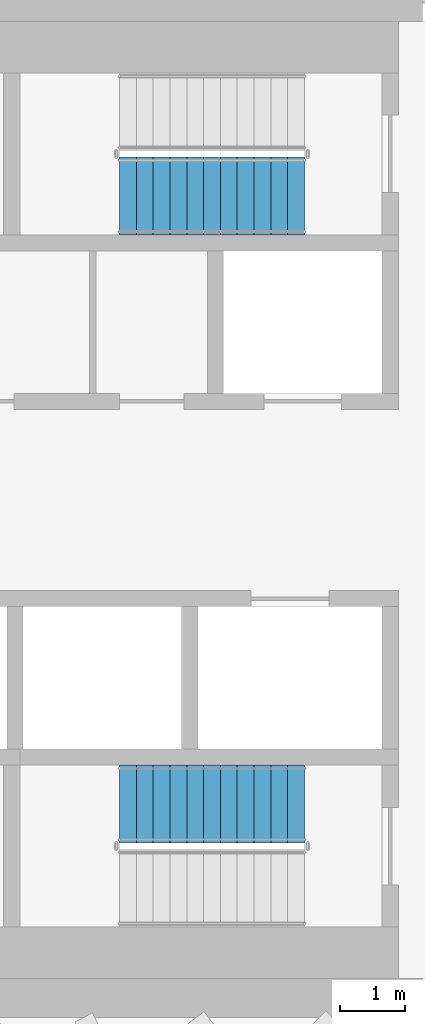
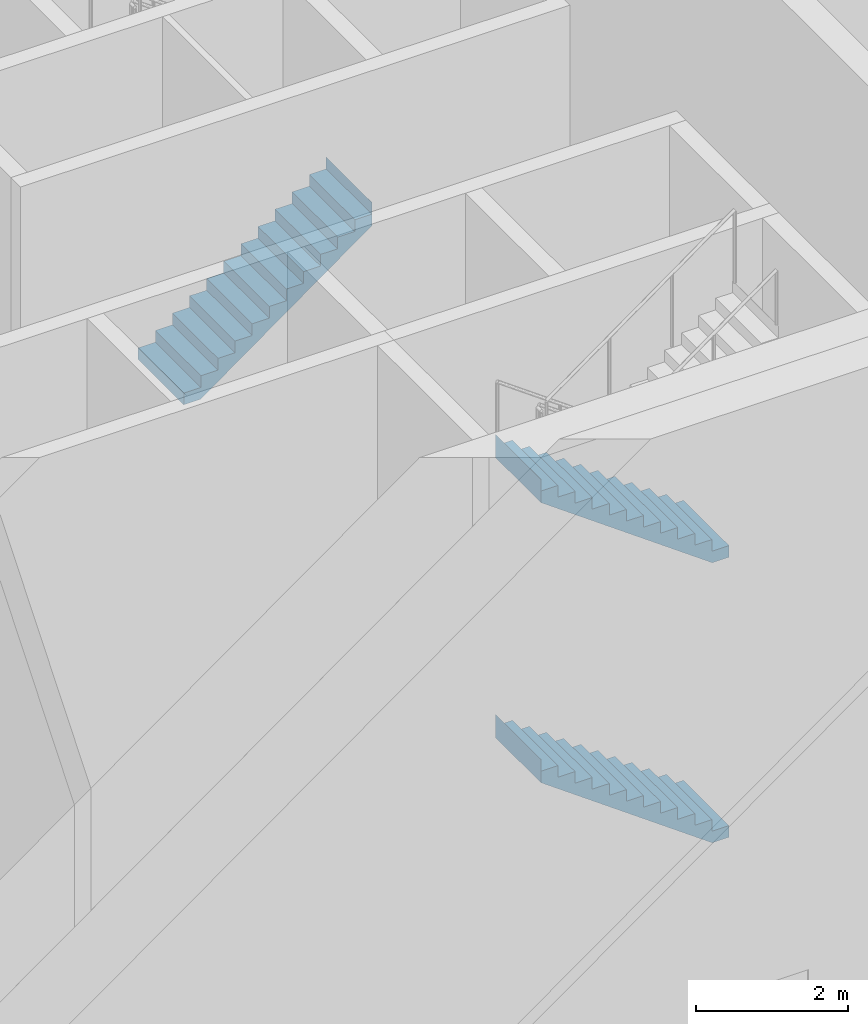
# One storey, part 21 of 35: 3 stair flights, 2 elements without a shape of their own.
"""IFC4 building model written with IfcOpenShell, lengths in metres."""

from ifc_helpers import new_model, si_unit, direction, frame, origin, place, context, subcontext, project, spatial, triangles, material, type_object, element, aggregate, save


model = new_model("IFC4")

# Units and contexts
model_context = context("Model", 3, precision=1e-05, world=origin(), true_north=direction((0.0, 1.0)))
body_context = subcontext(model_context, "Body", "Model", "MODEL_VIEW")
ifc_project = project(units=[si_unit("LENGTHUNIT", "METRE"), si_unit("AREAUNIT", "SQUARE_METRE"), si_unit("VOLUMEUNIT", "CUBIC_METRE"), si_unit("PLANEANGLEUNIT", "RADIAN"), si_unit("MASSUNIT", "GRAM", prefix="KILO")], contexts=[model_context])

# Site, building, storey
site_placement = place(None, origin())
site = spatial("IfcSite", under=ifc_project, at=site_placement, CompositionType="ELEMENT")
building_placement = place(site_placement, origin())
building = spatial("IfcBuilding", under=site, at=building_placement, Name="Sahrelin Media Tower", CompositionType="ELEMENT")
storey_placement = place(building_placement, frame((0.0, 0.0, 8.0)))
storey = spatial("IfcBuildingStorey", under=building, at=storey_placement, Name="L01", CompositionType="ELEMENT", Elevation=8.0)

# Stair, stair flight
ifc_material = material(Name="Concrete C40/50", Category="concrete")
stair_type = type_object("IfcStairType", Name="Exit stair 1200", PredefinedType="HALF_TURN_STAIR", material=ifc_material)
placement = place(storey_placement, origin())
stair_1 = element("IfcStair", 1, at=placement, inside=storey, type_object=stair_type, Name="L01 Exit stair ST3", PredefinedType="HALF_TURN_STAIR")
stair_flight_type = type_object("IfcStairFlightType", Name="Stair flight 1200", PredefinedType="STRAIGHT", material=ifc_material)
stair_flight_1_placement = place(storey_placement, frame((4.81494140625, 4.699951171875, 2.25), z_axis=(0.0, 0.0, 1.0), x_axis=(1.0, 0.0, 0.0)))
stair_flight_1 = element("IfcStairFlight", 2, at=stair_flight_1_placement, type_object=stair_flight_type, Name="ST3 flight 2", NumberOfRisers=12, NumberOfTreads=11, PredefinedType="STRAIGHT", RiserHeight=0.1875, TreadLength=0.26, context=body_context, shape_type="Tessellation", body=[
    triangles([(0.25634765625, 0.60009765625, 0.0), (0.25634765625, 0.300048828125, 0.0), (0.25634765625, 0.0, 0.0), (0.25634765625, -0.300048828125, 0.0), (0.25634765625, -0.60009765625, 0.0), (2.860107421875, 0.60009765625, 1.877685546875), (2.860107421875, 0.300048828125, 1.877685546875), (2.860107421875, 0.0, 1.877685546875), (2.860107421875, -0.300048828125, 1.877685546875), (2.860107421875, -0.60009765625, 1.877685546875), (2.860107421875, 0.60009765625, 2.25), (2.860107421875, 0.300048828125, 2.25), (2.860107421875, 0.0, 2.25), (2.860107421875, -0.300048828125, 2.25), (2.860107421875, -0.60009765625, 2.25), (2.85791015625, 0.60009765625, 2.25), (2.85791015625, 0.300048828125, 2.25), (2.85791015625, 0.0, 2.25), (2.85791015625, -0.300048828125, 2.25), (2.85791015625, -0.60009765625, 2.25), (2.85791015625, 0.60009765625, 2.0625), (2.85791015625, 0.300048828125, 2.0625), (2.85791015625, 0.0, 2.0625), (2.85791015625, -0.300048828125, 2.0625), (2.85791015625, -0.60009765625, 2.0625), (2.60009765625, 0.60009765625, 2.0625), (2.60009765625, 0.300048828125, 2.0625), (2.60009765625, 0.0, 2.0625), (2.60009765625, -0.300048828125, 2.0625), (2.60009765625, -0.60009765625, 2.0625), (2.60009765625, 0.60009765625, 1.875), (2.60009765625, 0.300048828125, 1.875), (2.60009765625, 0.0, 1.875), (2.60009765625, -0.300048828125, 1.875), (2.60009765625, -0.60009765625, 1.875), (2.340087890625, 0.60009765625, 1.875), (2.340087890625, 0.300048828125, 1.875), (2.340087890625, 0.0, 1.875), (2.340087890625, -0.300048828125, 1.875), (2.340087890625, -0.60009765625, 1.875), (2.340087890625, 0.60009765625, 1.6875), (2.340087890625, 0.300048828125, 1.6875), (2.340087890625, 0.0, 1.6875), (2.340087890625, -0.300048828125, 1.6875), (2.340087890625, -0.60009765625, 1.6875), (2.080078125, 0.60009765625, 1.6875), (2.080078125, 0.300048828125, 1.6875), (2.080078125, 0.0, 1.6875), (2.080078125, -0.300048828125, 1.6875), (2.080078125, -0.60009765625, 1.6875), (2.080078125, 0.60009765625, 1.5), (2.080078125, 0.300048828125, 1.5), (2.080078125, 0.0, 1.5), (2.080078125, -0.300048828125, 1.5), (2.080078125, -0.60009765625, 1.5), (1.820068359375, 0.60009765625, 1.5), (1.820068359375, 0.300048828125, 1.5), (1.820068359375, 0.0, 1.5), (1.820068359375, -0.300048828125, 1.5), (1.820068359375, -0.60009765625, 1.5), (1.820068359375, 0.60009765625, 1.3125), (1.820068359375, 0.300048828125, 1.3125), (1.820068359375, 0.0, 1.3125), (1.820068359375, -0.300048828125, 1.3125), (1.820068359375, -0.60009765625, 1.3125), (1.56005859375, 0.60009765625, 1.3125), (1.56005859375, 0.300048828125, 1.3125), (1.56005859375, 0.0, 1.3125), (1.56005859375, -0.300048828125, 1.3125), (1.56005859375, -0.60009765625, 1.3125), (1.56005859375, 0.60009765625, 1.125), (1.56005859375, 0.300048828125, 1.125), (1.56005859375, 0.0, 1.125), (1.56005859375, -0.300048828125, 1.125), (1.56005859375, -0.60009765625, 1.125), (1.300048828125, 0.60009765625, 1.125), (1.300048828125, 0.300048828125, 1.125), (1.300048828125, 0.0, 1.125), (1.300048828125, -0.300048828125, 1.125), (1.300048828125, -0.60009765625, 1.125), (1.300048828125, 0.60009765625, 0.9375), (1.300048828125, 0.300048828125, 0.9375), (1.300048828125, 0.0, 0.9375), (1.300048828125, -0.300048828125, 0.9375), (1.300048828125, -0.60009765625, 0.9375), (1.0400390625, 0.60009765625, 0.9375), (1.0400390625, 0.300048828125, 0.9375), (1.0400390625, 0.0, 0.9375), (1.0400390625, -0.300048828125, 0.9375), (1.0400390625, -0.60009765625, 0.9375), (1.0400390625, 0.60009765625, 0.75), (1.0400390625, 0.300048828125, 0.75), (1.0400390625, 0.0, 0.75), (1.0400390625, -0.300048828125, 0.75), (1.0400390625, -0.60009765625, 0.75), (0.780029296875, 0.60009765625, 0.75), (0.780029296875, 0.300048828125, 0.75), (0.780029296875, 0.0, 0.75), (0.780029296875, -0.300048828125, 0.75), (0.780029296875, -0.60009765625, 0.75), (0.780029296875, 0.60009765625, 0.5625), (0.780029296875, 0.300048828125, 0.5625), (0.780029296875, 0.0, 0.5625), (0.780029296875, -0.300048828125, 0.5625), (0.780029296875, -0.60009765625, 0.5625), (0.52001953125, 0.60009765625, 0.5625), (0.52001953125, 0.300048828125, 0.5625), (0.52001953125, 0.0, 0.5625), (0.52001953125, -0.300048828125, 0.5625), (0.52001953125, -0.60009765625, 0.5625), (0.52001953125, 0.60009765625, 0.375), (0.52001953125, 0.300048828125, 0.375), (0.52001953125, 0.0, 0.375), (0.52001953125, -0.300048828125, 0.375), (0.52001953125, -0.60009765625, 0.375), (0.260009765625, 0.60009765625, 0.375), (0.260009765625, 0.300048828125, 0.375), (0.260009765625, 0.0, 0.375), (0.260009765625, -0.300048828125, 0.375), (0.260009765625, -0.60009765625, 0.375), (0.260009765625, 0.60009765625, 0.1875), (0.260009765625, 0.300048828125, 0.1875), (0.260009765625, 0.0, 0.1875), (0.260009765625, -0.300048828125, 0.1875), (0.260009765625, -0.60009765625, 0.1875), (0.0, 0.60009765625, 0.1875), (0.0, 0.300048828125, 0.1875), (0.0, 0.0, 0.1875), (0.0, -0.300048828125, 0.1875), (0.0, -0.60009765625, 0.1875), (0.0, 0.60009765625, 0.0), (0.0, 0.300048828125, 0.0), (0.0, 0.0, 0.0), (0.0, -0.300048828125, 0.0), (0.0, -0.60009765625, 0.0)], [[1, 6, 7], [1, 7, 2], [2, 7, 8], [2, 8, 3], [3, 8, 9], [3, 9, 4], [4, 9, 10], [4, 10, 5], [6, 11, 12], [6, 12, 7], [7, 12, 13], [7, 13, 8], [8, 13, 14], [8, 14, 9], [9, 14, 15], [9, 15, 10], [11, 16, 17], [11, 17, 12], [12, 17, 18], [12, 18, 13], [13, 18, 19], [13, 19, 14], [14, 19, 20], [14, 20, 15], [16, 21, 22], [16, 22, 17], [17, 22, 23], [17, 23, 18], [18, 23, 24], [18, 24, 19], [19, 24, 25], [19, 25, 20], [21, 26, 27], [21, 27, 22], [22, 27, 28], [22, 28, 23], [23, 28, 29], [23, 29, 24], [24, 29, 30], [24, 30, 25], [26, 31, 32], [26, 32, 27], [27, 32, 33], [27, 33, 28], [28, 33, 34], [28, 34, 29], [29, 34, 35], [29, 35, 30], [31, 36, 37], [31, 37, 32], [32, 37, 38], [32, 38, 33], [33, 38, 39], [33, 39, 34], [34, 39, 40], [34, 40, 35], [36, 41, 42], [36, 42, 37], [37, 42, 43], [37, 43, 38], [38, 43, 44], [38, 44, 39], [39, 44, 45], [39, 45, 40], [41, 46, 47], [41, 47, 42], [42, 47, 48], [42, 48, 43], [43, 48, 49], [43, 49, 44], [44, 49, 50], [44, 50, 45], [46, 51, 52], [46, 52, 47], [47, 52, 53], [47, 53, 48], [48, 53, 54], [48, 54, 49], [49, 54, 55], [49, 55, 50], [51, 56, 57], [51, 57, 52], [52, 57, 58], [52, 58, 53], [53, 58, 59], [53, 59, 54], [54, 59, 60], [54, 60, 55], [56, 61, 62], [56, 62, 57], [57, 62, 63], [57, 63, 58], [58, 63, 64], [58, 64, 59], [59, 64, 65], [59, 65, 60], [61, 66, 67], [61, 67, 62], [62, 67, 68], [62, 68, 63], [63, 68, 69], [63, 69, 64], [64, 69, 70], [64, 70, 65], [66, 71, 72], [66, 72, 67], [67, 72, 73], [67, 73, 68], [68, 73, 74], [68, 74, 69], [69, 74, 75], [69, 75, 70], [71, 76, 77], [71, 77, 72], [72, 77, 78], [72, 78, 73], [73, 78, 79], [73, 79, 74], [74, 79, 80], [74, 80, 75], [76, 81, 82], [76, 82, 77], [77, 82, 83], [77, 83, 78], [78, 83, 84], [78, 84, 79], [79, 84, 85], [79, 85, 80], [81, 86, 87], [81, 87, 82], [82, 87, 88], [82, 88, 83], [83, 88, 89], [83, 89, 84], [84, 89, 90], [84, 90, 85], [86, 91, 92], [86, 92, 87], [87, 92, 93], [87, 93, 88], [88, 93, 94], [88, 94, 89], [89, 94, 95], [89, 95, 90], [91, 96, 97], [91, 97, 92], [92, 97, 98], [92, 98, 93], [93, 98, 99], [93, 99, 94], [94, 99, 100], [94, 100, 95], [96, 101, 102], [96, 102, 97], [97, 102, 103], [97, 103, 98], [98, 103, 104], [98, 104, 99], [99, 104, 105], [99, 105, 100], [101, 106, 107], [101, 107, 102], [102, 107, 108], [102, 108, 103], [103, 108, 109], [103, 109, 104], [104, 109, 110], [104, 110, 105], [106, 111, 112], [106, 112, 107], [107, 112, 113], [107, 113, 108], [108, 113, 114], [108, 114, 109], [109, 114, 115], [109, 115, 110], [111, 116, 117], [111, 117, 112], [112, 117, 118], [112, 118, 113], [113, 118, 119], [113, 119, 114], [114, 119, 120], [114, 120, 115], [116, 121, 122], [116, 122, 117], [117, 122, 123], [117, 123, 118], [118, 123, 124], [118, 124, 119], [119, 124, 125], [119, 125, 120], [121, 126, 127], [121, 127, 122], [122, 127, 128], [122, 128, 123], [123, 128, 129], [123, 129, 124], [124, 129, 130], [124, 130, 125], [126, 131, 132], [126, 132, 127], [127, 132, 133], [127, 133, 128], [128, 133, 134], [128, 134, 129], [129, 134, 135], [129, 135, 130], [131, 1, 2], [131, 2, 132], [132, 2, 3], [132, 3, 133], [133, 3, 4], [133, 4, 134], [134, 4, 5], [134, 5, 135], [5, 130, 135], [1, 131, 126], [125, 115, 120], [121, 116, 111], [115, 105, 110], [111, 106, 101], [105, 95, 100], [101, 96, 91], [95, 85, 90], [91, 86, 81], [85, 75, 80], [81, 76, 71], [75, 65, 70], [71, 66, 61], [65, 55, 60], [61, 56, 51], [55, 45, 50], [51, 46, 41], [45, 35, 40], [41, 36, 31], [35, 25, 30], [31, 26, 21], [25, 15, 20], [21, 16, 11], [5, 125, 130], [1, 126, 121], [10, 35, 45], [6, 41, 31], [25, 10, 15], [21, 11, 6], [115, 125, 5], [111, 1, 121], [35, 10, 25], [31, 21, 6], [105, 115, 5], [101, 1, 111], [45, 55, 10], [41, 6, 51], [95, 105, 5], [91, 1, 101], [65, 10, 55], [61, 51, 6], [85, 95, 5], [81, 1, 91], [75, 10, 65], [71, 61, 6], [75, 85, 5], [71, 1, 81], [5, 10, 75], [1, 71, 6]], closed=True),
])
aggregate(stair_1, [stair_flight_1])

# Stair, stair flights
stair_2 = element("IfcStair", 3, at=placement, inside=storey, type_object=stair_type, Name="L01 Exit stair ST2", PredefinedType="HALF_TURN_STAIR")
stair_flight_2_placement = place(storey_placement, frame((7.675048828125, -4.699951171875, 0.0), z_axis=(0.0, 0.0, 1.0), x_axis=(-1.0, 0.0, 0.0)))
stair_flight_2 = element("IfcStairFlight", 4, at=stair_flight_2_placement, type_object=stair_flight_type, Name="ST2 flight 1", NumberOfRisers=12, NumberOfTreads=11, PredefinedType="STRAIGHT", RiserHeight=0.1875, TreadLength=0.26, context=body_context, shape_type="Tessellation", body=[
    triangles([(0.25634765625, 0.60009765625, 0.0), (0.25634765625, 0.300048828125, 0.0), (0.25634765625, 0.0, 0.0), (0.25634765625, -0.300048828125, 0.0), (0.25634765625, -0.60009765625, 0.0), (2.860107421875, 0.60009765625, 1.877685546875), (2.860107421875, 0.300048828125, 1.877685546875), (2.860107421875, 0.0, 1.877685546875), (2.860107421875, -0.300048828125, 1.877685546875), (2.860107421875, -0.60009765625, 1.877685546875), (2.860107421875, 0.60009765625, 2.25), (2.860107421875, 0.300048828125, 2.25), (2.860107421875, 0.0, 2.25), (2.860107421875, -0.300048828125, 2.25), (2.860107421875, -0.60009765625, 2.25), (2.85791015625, 0.60009765625, 2.25), (2.85791015625, 0.300048828125, 2.25), (2.85791015625, 0.0, 2.25), (2.85791015625, -0.300048828125, 2.25), (2.85791015625, -0.60009765625, 2.25), (2.85791015625, 0.60009765625, 2.0625), (2.85791015625, 0.300048828125, 2.0625), (2.85791015625, 0.0, 2.0625), (2.85791015625, -0.300048828125, 2.0625), (2.85791015625, -0.60009765625, 2.0625), (2.60009765625, 0.60009765625, 2.0625), (2.60009765625, 0.300048828125, 2.0625), (2.60009765625, 0.0, 2.0625), (2.60009765625, -0.300048828125, 2.0625), (2.60009765625, -0.60009765625, 2.0625), (2.60009765625, 0.60009765625, 1.875), (2.60009765625, 0.300048828125, 1.875), (2.60009765625, 0.0, 1.875), (2.60009765625, -0.300048828125, 1.875), (2.60009765625, -0.60009765625, 1.875), (2.340087890625, 0.60009765625, 1.875), (2.340087890625, 0.300048828125, 1.875), (2.340087890625, 0.0, 1.875), (2.340087890625, -0.300048828125, 1.875), (2.340087890625, -0.60009765625, 1.875), (2.340087890625, 0.60009765625, 1.6875), (2.340087890625, 0.300048828125, 1.6875), (2.340087890625, 0.0, 1.6875), (2.340087890625, -0.300048828125, 1.6875), (2.340087890625, -0.60009765625, 1.6875), (2.080078125, 0.60009765625, 1.6875), (2.080078125, 0.300048828125, 1.6875), (2.080078125, 0.0, 1.6875), (2.080078125, -0.300048828125, 1.6875), (2.080078125, -0.60009765625, 1.6875), (2.080078125, 0.60009765625, 1.5), (2.080078125, 0.300048828125, 1.5), (2.080078125, 0.0, 1.5), (2.080078125, -0.300048828125, 1.5), (2.080078125, -0.60009765625, 1.5), (1.820068359375, 0.60009765625, 1.5), (1.820068359375, 0.300048828125, 1.5), (1.820068359375, 0.0, 1.5), (1.820068359375, -0.300048828125, 1.5), (1.820068359375, -0.60009765625, 1.5), (1.820068359375, 0.60009765625, 1.3125), (1.820068359375, 0.300048828125, 1.3125), (1.820068359375, 0.0, 1.3125), (1.820068359375, -0.300048828125, 1.3125), (1.820068359375, -0.60009765625, 1.3125), (1.56005859375, 0.60009765625, 1.3125), (1.56005859375, 0.300048828125, 1.3125), (1.56005859375, 0.0, 1.3125), (1.56005859375, -0.300048828125, 1.3125), (1.56005859375, -0.60009765625, 1.3125), (1.56005859375, 0.60009765625, 1.125), (1.56005859375, 0.300048828125, 1.125), (1.56005859375, 0.0, 1.125), (1.56005859375, -0.300048828125, 1.125), (1.56005859375, -0.60009765625, 1.125), (1.300048828125, 0.60009765625, 1.125), (1.300048828125, 0.300048828125, 1.125), (1.300048828125, 0.0, 1.125), (1.300048828125, -0.300048828125, 1.125), (1.300048828125, -0.60009765625, 1.125), (1.300048828125, 0.60009765625, 0.9375), (1.300048828125, 0.300048828125, 0.9375), (1.300048828125, 0.0, 0.9375), (1.300048828125, -0.300048828125, 0.9375), (1.300048828125, -0.60009765625, 0.9375), (1.0400390625, 0.60009765625, 0.9375), (1.0400390625, 0.300048828125, 0.9375), (1.0400390625, 0.0, 0.9375), (1.0400390625, -0.300048828125, 0.9375), (1.0400390625, -0.60009765625, 0.9375), (1.0400390625, 0.60009765625, 0.75), (1.0400390625, 0.300048828125, 0.75), (1.0400390625, 0.0, 0.75), (1.0400390625, -0.300048828125, 0.75), (1.0400390625, -0.60009765625, 0.75), (0.780029296875, 0.60009765625, 0.75), (0.780029296875, 0.300048828125, 0.75), (0.780029296875, 0.0, 0.75), (0.780029296875, -0.300048828125, 0.75), (0.780029296875, -0.60009765625, 0.75), (0.780029296875, 0.60009765625, 0.5625), (0.780029296875, 0.300048828125, 0.5625), (0.780029296875, 0.0, 0.5625), (0.780029296875, -0.300048828125, 0.5625), (0.780029296875, -0.60009765625, 0.5625), (0.52001953125, 0.60009765625, 0.5625), (0.52001953125, 0.300048828125, 0.5625), (0.52001953125, 0.0, 0.5625), (0.52001953125, -0.300048828125, 0.5625), (0.52001953125, -0.60009765625, 0.5625), (0.52001953125, 0.60009765625, 0.375), (0.52001953125, 0.300048828125, 0.375), (0.52001953125, 0.0, 0.375), (0.52001953125, -0.300048828125, 0.375), (0.52001953125, -0.60009765625, 0.375), (0.260009765625, 0.60009765625, 0.375), (0.260009765625, 0.300048828125, 0.375), (0.260009765625, 0.0, 0.375), (0.260009765625, -0.300048828125, 0.375), (0.260009765625, -0.60009765625, 0.375), (0.260009765625, 0.60009765625, 0.1875), (0.260009765625, 0.300048828125, 0.1875), (0.260009765625, 0.0, 0.1875), (0.260009765625, -0.300048828125, 0.1875), (0.260009765625, -0.60009765625, 0.1875), (0.0, 0.60009765625, 0.1875), (0.0, 0.300048828125, 0.1875), (0.0, 0.0, 0.1875), (0.0, -0.300048828125, 0.1875), (0.0, -0.60009765625, 0.1875), (0.0, 0.60009765625, 0.0), (0.0, 0.300048828125, 0.0), (0.0, 0.0, 0.0), (0.0, -0.300048828125, 0.0), (0.0, -0.60009765625, 0.0)], [[1, 6, 7], [1, 7, 2], [2, 7, 8], [2, 8, 3], [3, 8, 9], [3, 9, 4], [4, 9, 10], [4, 10, 5], [6, 11, 12], [6, 12, 7], [7, 12, 13], [7, 13, 8], [8, 13, 14], [8, 14, 9], [9, 14, 15], [9, 15, 10], [11, 16, 17], [11, 17, 12], [12, 17, 18], [12, 18, 13], [13, 18, 19], [13, 19, 14], [14, 19, 20], [14, 20, 15], [16, 21, 22], [16, 22, 17], [17, 22, 23], [17, 23, 18], [18, 23, 24], [18, 24, 19], [19, 24, 25], [19, 25, 20], [21, 26, 27], [21, 27, 22], [22, 27, 28], [22, 28, 23], [23, 28, 29], [23, 29, 24], [24, 29, 30], [24, 30, 25], [26, 31, 32], [26, 32, 27], [27, 32, 33], [27, 33, 28], [28, 33, 34], [28, 34, 29], [29, 34, 35], [29, 35, 30], [31, 36, 37], [31, 37, 32], [32, 37, 38], [32, 38, 33], [33, 38, 39], [33, 39, 34], [34, 39, 40], [34, 40, 35], [36, 41, 42], [36, 42, 37], [37, 42, 43], [37, 43, 38], [38, 43, 44], [38, 44, 39], [39, 44, 45], [39, 45, 40], [41, 46, 47], [41, 47, 42], [42, 47, 48], [42, 48, 43], [43, 48, 49], [43, 49, 44], [44, 49, 50], [44, 50, 45], [46, 51, 52], [46, 52, 47], [47, 52, 53], [47, 53, 48], [48, 53, 54], [48, 54, 49], [49, 54, 55], [49, 55, 50], [51, 56, 57], [51, 57, 52], [52, 57, 58], [52, 58, 53], [53, 58, 59], [53, 59, 54], [54, 59, 60], [54, 60, 55], [56, 61, 62], [56, 62, 57], [57, 62, 63], [57, 63, 58], [58, 63, 64], [58, 64, 59], [59, 64, 65], [59, 65, 60], [61, 66, 67], [61, 67, 62], [62, 67, 68], [62, 68, 63], [63, 68, 69], [63, 69, 64], [64, 69, 70], [64, 70, 65], [66, 71, 72], [66, 72, 67], [67, 72, 73], [67, 73, 68], [68, 73, 74], [68, 74, 69], [69, 74, 75], [69, 75, 70], [71, 76, 77], [71, 77, 72], [72, 77, 78], [72, 78, 73], [73, 78, 79], [73, 79, 74], [74, 79, 80], [74, 80, 75], [76, 81, 82], [76, 82, 77], [77, 82, 83], [77, 83, 78], [78, 83, 84], [78, 84, 79], [79, 84, 85], [79, 85, 80], [81, 86, 87], [81, 87, 82], [82, 87, 88], [82, 88, 83], [83, 88, 89], [83, 89, 84], [84, 89, 90], [84, 90, 85], [86, 91, 92], [86, 92, 87], [87, 92, 93], [87, 93, 88], [88, 93, 94], [88, 94, 89], [89, 94, 95], [89, 95, 90], [91, 96, 97], [91, 97, 92], [92, 97, 98], [92, 98, 93], [93, 98, 99], [93, 99, 94], [94, 99, 100], [94, 100, 95], [96, 101, 102], [96, 102, 97], [97, 102, 103], [97, 103, 98], [98, 103, 104], [98, 104, 99], [99, 104, 105], [99, 105, 100], [101, 106, 107], [101, 107, 102], [102, 107, 108], [102, 108, 103], [103, 108, 109], [103, 109, 104], [104, 109, 110], [104, 110, 105], [106, 111, 112], [106, 112, 107], [107, 112, 113], [107, 113, 108], [108, 113, 114], [108, 114, 109], [109, 114, 115], [109, 115, 110], [111, 116, 117], [111, 117, 112], [112, 117, 118], [112, 118, 113], [113, 118, 119], [113, 119, 114], [114, 119, 120], [114, 120, 115], [116, 121, 122], [116, 122, 117], [117, 122, 123], [117, 123, 118], [118, 123, 124], [118, 124, 119], [119, 124, 125], [119, 125, 120], [121, 126, 127], [121, 127, 122], [122, 127, 128], [122, 128, 123], [123, 128, 129], [123, 129, 124], [124, 129, 130], [124, 130, 125], [126, 131, 132], [126, 132, 127], [127, 132, 133], [127, 133, 128], [128, 133, 134], [128, 134, 129], [129, 134, 135], [129, 135, 130], [131, 1, 2], [131, 2, 132], [132, 2, 3], [132, 3, 133], [133, 3, 4], [133, 4, 134], [134, 4, 5], [134, 5, 135], [5, 130, 135], [1, 131, 126], [125, 115, 120], [121, 116, 111], [115, 105, 110], [111, 106, 101], [105, 95, 100], [101, 96, 91], [95, 85, 90], [91, 86, 81], [85, 75, 80], [81, 76, 71], [75, 65, 70], [71, 66, 61], [65, 55, 60], [61, 56, 51], [55, 45, 50], [51, 46, 41], [45, 35, 40], [41, 36, 31], [35, 25, 30], [31, 26, 21], [25, 15, 20], [21, 16, 11], [5, 125, 130], [1, 126, 121], [10, 35, 45], [6, 41, 31], [25, 10, 15], [21, 11, 6], [115, 125, 5], [111, 1, 121], [35, 10, 25], [31, 21, 6], [105, 115, 5], [101, 1, 111], [45, 55, 10], [41, 6, 51], [95, 105, 5], [91, 1, 101], [65, 10, 55], [61, 51, 6], [85, 95, 5], [81, 1, 91], [75, 10, 65], [71, 61, 6], [75, 85, 5], [71, 1, 81], [5, 10, 75], [1, 71, 6]], closed=True),
])
stair_flight_3_placement = place(storey_placement, frame((7.675048828125, -4.699951171875, 4.5), z_axis=(0.0, 0.0, 1.0), x_axis=(-1.0, 0.0, 0.0)))
stair_flight_3 = element("IfcStairFlight", 5, at=stair_flight_3_placement, type_object=stair_flight_type, Name="ST2 flight 3", NumberOfRisers=12, NumberOfTreads=11, PredefinedType="STRAIGHT", RiserHeight=0.1875, TreadLength=0.26, context=body_context, shape_type="Tessellation", body=[
    triangles([(0.25634765625, 0.60009765625, 0.0), (0.25634765625, 0.300048828125, 0.0), (0.25634765625, 0.0, 0.0), (0.25634765625, -0.300048828125, 0.0), (0.25634765625, -0.60009765625, 0.0), (2.860107421875, 0.60009765625, 1.877685546875), (2.860107421875, 0.300048828125, 1.877685546875), (2.860107421875, 0.0, 1.877685546875), (2.860107421875, -0.300048828125, 1.877685546875), (2.860107421875, -0.60009765625, 1.877685546875), (2.860107421875, 0.60009765625, 2.25), (2.860107421875, 0.300048828125, 2.25), (2.860107421875, 0.0, 2.25), (2.860107421875, -0.300048828125, 2.25), (2.860107421875, -0.60009765625, 2.25), (2.85791015625, 0.60009765625, 2.25), (2.85791015625, 0.300048828125, 2.25), (2.85791015625, 0.0, 2.25), (2.85791015625, -0.300048828125, 2.25), (2.85791015625, -0.60009765625, 2.25), (2.85791015625, 0.60009765625, 2.0625), (2.85791015625, 0.300048828125, 2.0625), (2.85791015625, 0.0, 2.0625), (2.85791015625, -0.300048828125, 2.0625), (2.85791015625, -0.60009765625, 2.0625), (2.60009765625, 0.60009765625, 2.0625), (2.60009765625, 0.300048828125, 2.0625), (2.60009765625, 0.0, 2.0625), (2.60009765625, -0.300048828125, 2.0625), (2.60009765625, -0.60009765625, 2.0625), (2.60009765625, 0.60009765625, 1.875), (2.60009765625, 0.300048828125, 1.875), (2.60009765625, 0.0, 1.875), (2.60009765625, -0.300048828125, 1.875), (2.60009765625, -0.60009765625, 1.875), (2.340087890625, 0.60009765625, 1.875), (2.340087890625, 0.300048828125, 1.875), (2.340087890625, 0.0, 1.875), (2.340087890625, -0.300048828125, 1.875), (2.340087890625, -0.60009765625, 1.875), (2.340087890625, 0.60009765625, 1.6875), (2.340087890625, 0.300048828125, 1.6875), (2.340087890625, 0.0, 1.6875), (2.340087890625, -0.300048828125, 1.6875), (2.340087890625, -0.60009765625, 1.6875), (2.080078125, 0.60009765625, 1.6875), (2.080078125, 0.300048828125, 1.6875), (2.080078125, 0.0, 1.6875), (2.080078125, -0.300048828125, 1.6875), (2.080078125, -0.60009765625, 1.6875), (2.080078125, 0.60009765625, 1.5), (2.080078125, 0.300048828125, 1.5), (2.080078125, 0.0, 1.5), (2.080078125, -0.300048828125, 1.5), (2.080078125, -0.60009765625, 1.5), (1.820068359375, 0.60009765625, 1.5), (1.820068359375, 0.300048828125, 1.5), (1.820068359375, 0.0, 1.5), (1.820068359375, -0.300048828125, 1.5), (1.820068359375, -0.60009765625, 1.5), (1.820068359375, 0.60009765625, 1.3125), (1.820068359375, 0.300048828125, 1.3125), (1.820068359375, 0.0, 1.3125), (1.820068359375, -0.300048828125, 1.3125), (1.820068359375, -0.60009765625, 1.3125), (1.56005859375, 0.60009765625, 1.3125), (1.56005859375, 0.300048828125, 1.3125), (1.56005859375, 0.0, 1.3125), (1.56005859375, -0.300048828125, 1.3125), (1.56005859375, -0.60009765625, 1.3125), (1.56005859375, 0.60009765625, 1.125), (1.56005859375, 0.300048828125, 1.125), (1.56005859375, 0.0, 1.125), (1.56005859375, -0.300048828125, 1.125), (1.56005859375, -0.60009765625, 1.125), (1.300048828125, 0.60009765625, 1.125), (1.300048828125, 0.300048828125, 1.125), (1.300048828125, 0.0, 1.125), (1.300048828125, -0.300048828125, 1.125), (1.300048828125, -0.60009765625, 1.125), (1.300048828125, 0.60009765625, 0.9375), (1.300048828125, 0.300048828125, 0.9375), (1.300048828125, 0.0, 0.9375), (1.300048828125, -0.300048828125, 0.9375), (1.300048828125, -0.60009765625, 0.9375), (1.0400390625, 0.60009765625, 0.9375), (1.0400390625, 0.300048828125, 0.9375), (1.0400390625, 0.0, 0.9375), (1.0400390625, -0.300048828125, 0.9375), (1.0400390625, -0.60009765625, 0.9375), (1.0400390625, 0.60009765625, 0.75), (1.0400390625, 0.300048828125, 0.75), (1.0400390625, 0.0, 0.75), (1.0400390625, -0.300048828125, 0.75), (1.0400390625, -0.60009765625, 0.75), (0.780029296875, 0.60009765625, 0.75), (0.780029296875, 0.300048828125, 0.75), (0.780029296875, 0.0, 0.75), (0.780029296875, -0.300048828125, 0.75), (0.780029296875, -0.60009765625, 0.75), (0.780029296875, 0.60009765625, 0.5625), (0.780029296875, 0.300048828125, 0.5625), (0.780029296875, 0.0, 0.5625), (0.780029296875, -0.300048828125, 0.5625), (0.780029296875, -0.60009765625, 0.5625), (0.52001953125, 0.60009765625, 0.5625), (0.52001953125, 0.300048828125, 0.5625), (0.52001953125, 0.0, 0.5625), (0.52001953125, -0.300048828125, 0.5625), (0.52001953125, -0.60009765625, 0.5625), (0.52001953125, 0.60009765625, 0.375), (0.52001953125, 0.300048828125, 0.375), (0.52001953125, 0.0, 0.375), (0.52001953125, -0.300048828125, 0.375), (0.52001953125, -0.60009765625, 0.375), (0.260009765625, 0.60009765625, 0.375), (0.260009765625, 0.300048828125, 0.375), (0.260009765625, 0.0, 0.375), (0.260009765625, -0.300048828125, 0.375), (0.260009765625, -0.60009765625, 0.375), (0.260009765625, 0.60009765625, 0.1875), (0.260009765625, 0.300048828125, 0.1875), (0.260009765625, 0.0, 0.1875), (0.260009765625, -0.300048828125, 0.1875), (0.260009765625, -0.60009765625, 0.1875), (0.0, 0.60009765625, 0.1875), (0.0, 0.300048828125, 0.1875), (0.0, 0.0, 0.1875), (0.0, -0.300048828125, 0.1875), (0.0, -0.60009765625, 0.1875), (0.0, 0.60009765625, 0.0), (0.0, 0.300048828125, 0.0), (0.0, 0.0, 0.0), (0.0, -0.300048828125, 0.0), (0.0, -0.60009765625, 0.0)], [[1, 6, 7], [1, 7, 2], [2, 7, 8], [2, 8, 3], [3, 8, 9], [3, 9, 4], [4, 9, 10], [4, 10, 5], [6, 11, 12], [6, 12, 7], [7, 12, 13], [7, 13, 8], [8, 13, 14], [8, 14, 9], [9, 14, 15], [9, 15, 10], [11, 16, 17], [11, 17, 12], [12, 17, 18], [12, 18, 13], [13, 18, 19], [13, 19, 14], [14, 19, 20], [14, 20, 15], [16, 21, 22], [16, 22, 17], [17, 22, 23], [17, 23, 18], [18, 23, 24], [18, 24, 19], [19, 24, 25], [19, 25, 20], [21, 26, 27], [21, 27, 22], [22, 27, 28], [22, 28, 23], [23, 28, 29], [23, 29, 24], [24, 29, 30], [24, 30, 25], [26, 31, 32], [26, 32, 27], [27, 32, 33], [27, 33, 28], [28, 33, 34], [28, 34, 29], [29, 34, 35], [29, 35, 30], [31, 36, 37], [31, 37, 32], [32, 37, 38], [32, 38, 33], [33, 38, 39], [33, 39, 34], [34, 39, 40], [34, 40, 35], [36, 41, 42], [36, 42, 37], [37, 42, 43], [37, 43, 38], [38, 43, 44], [38, 44, 39], [39, 44, 45], [39, 45, 40], [41, 46, 47], [41, 47, 42], [42, 47, 48], [42, 48, 43], [43, 48, 49], [43, 49, 44], [44, 49, 50], [44, 50, 45], [46, 51, 52], [46, 52, 47], [47, 52, 53], [47, 53, 48], [48, 53, 54], [48, 54, 49], [49, 54, 55], [49, 55, 50], [51, 56, 57], [51, 57, 52], [52, 57, 58], [52, 58, 53], [53, 58, 59], [53, 59, 54], [54, 59, 60], [54, 60, 55], [56, 61, 62], [56, 62, 57], [57, 62, 63], [57, 63, 58], [58, 63, 64], [58, 64, 59], [59, 64, 65], [59, 65, 60], [61, 66, 67], [61, 67, 62], [62, 67, 68], [62, 68, 63], [63, 68, 69], [63, 69, 64], [64, 69, 70], [64, 70, 65], [66, 71, 72], [66, 72, 67], [67, 72, 73], [67, 73, 68], [68, 73, 74], [68, 74, 69], [69, 74, 75], [69, 75, 70], [71, 76, 77], [71, 77, 72], [72, 77, 78], [72, 78, 73], [73, 78, 79], [73, 79, 74], [74, 79, 80], [74, 80, 75], [76, 81, 82], [76, 82, 77], [77, 82, 83], [77, 83, 78], [78, 83, 84], [78, 84, 79], [79, 84, 85], [79, 85, 80], [81, 86, 87], [81, 87, 82], [82, 87, 88], [82, 88, 83], [83, 88, 89], [83, 89, 84], [84, 89, 90], [84, 90, 85], [86, 91, 92], [86, 92, 87], [87, 92, 93], [87, 93, 88], [88, 93, 94], [88, 94, 89], [89, 94, 95], [89, 95, 90], [91, 96, 97], [91, 97, 92], [92, 97, 98], [92, 98, 93], [93, 98, 99], [93, 99, 94], [94, 99, 100], [94, 100, 95], [96, 101, 102], [96, 102, 97], [97, 102, 103], [97, 103, 98], [98, 103, 104], [98, 104, 99], [99, 104, 105], [99, 105, 100], [101, 106, 107], [101, 107, 102], [102, 107, 108], [102, 108, 103], [103, 108, 109], [103, 109, 104], [104, 109, 110], [104, 110, 105], [106, 111, 112], [106, 112, 107], [107, 112, 113], [107, 113, 108], [108, 113, 114], [108, 114, 109], [109, 114, 115], [109, 115, 110], [111, 116, 117], [111, 117, 112], [112, 117, 118], [112, 118, 113], [113, 118, 119], [113, 119, 114], [114, 119, 120], [114, 120, 115], [116, 121, 122], [116, 122, 117], [117, 122, 123], [117, 123, 118], [118, 123, 124], [118, 124, 119], [119, 124, 125], [119, 125, 120], [121, 126, 127], [121, 127, 122], [122, 127, 128], [122, 128, 123], [123, 128, 129], [123, 129, 124], [124, 129, 130], [124, 130, 125], [126, 131, 132], [126, 132, 127], [127, 132, 133], [127, 133, 128], [128, 133, 134], [128, 134, 129], [129, 134, 135], [129, 135, 130], [131, 1, 2], [131, 2, 132], [132, 2, 3], [132, 3, 133], [133, 3, 4], [133, 4, 134], [134, 4, 5], [134, 5, 135], [5, 130, 135], [1, 131, 126], [125, 115, 120], [121, 116, 111], [115, 105, 110], [111, 106, 101], [105, 95, 100], [101, 96, 91], [95, 85, 90], [91, 86, 81], [85, 75, 80], [81, 76, 71], [75, 65, 70], [71, 66, 61], [65, 55, 60], [61, 56, 51], [55, 45, 50], [51, 46, 41], [45, 35, 40], [41, 36, 31], [35, 25, 30], [31, 26, 21], [25, 15, 20], [21, 16, 11], [5, 125, 130], [1, 126, 121], [10, 35, 45], [6, 41, 31], [25, 10, 15], [21, 11, 6], [115, 125, 5], [111, 1, 121], [35, 10, 25], [31, 21, 6], [105, 115, 5], [101, 1, 111], [45, 55, 10], [41, 6, 51], [95, 105, 5], [91, 1, 101], [65, 10, 55], [61, 51, 6], [85, 95, 5], [81, 1, 91], [75, 10, 65], [71, 61, 6], [75, 85, 5], [71, 1, 81], [5, 10, 75], [1, 71, 6]], closed=True),
])
aggregate(stair_2, [stair_flight_2, stair_flight_3])

save(model, "model.ifc")
